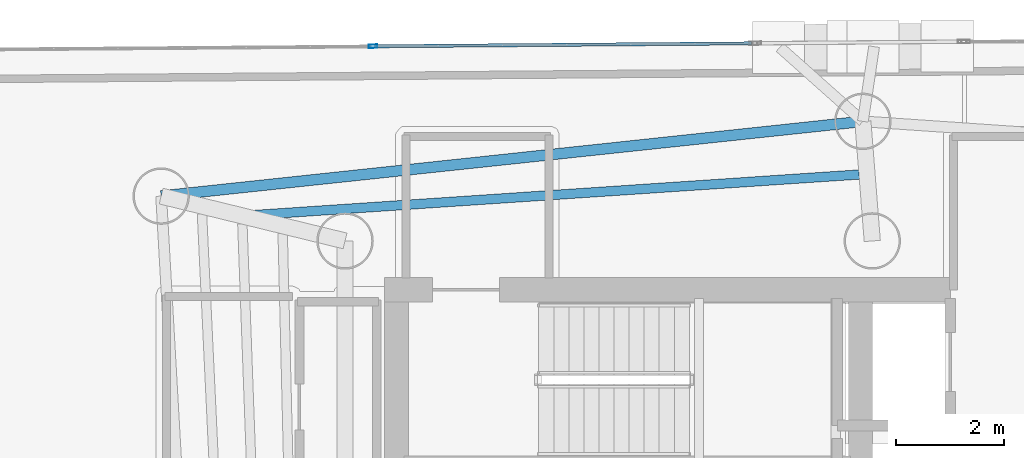
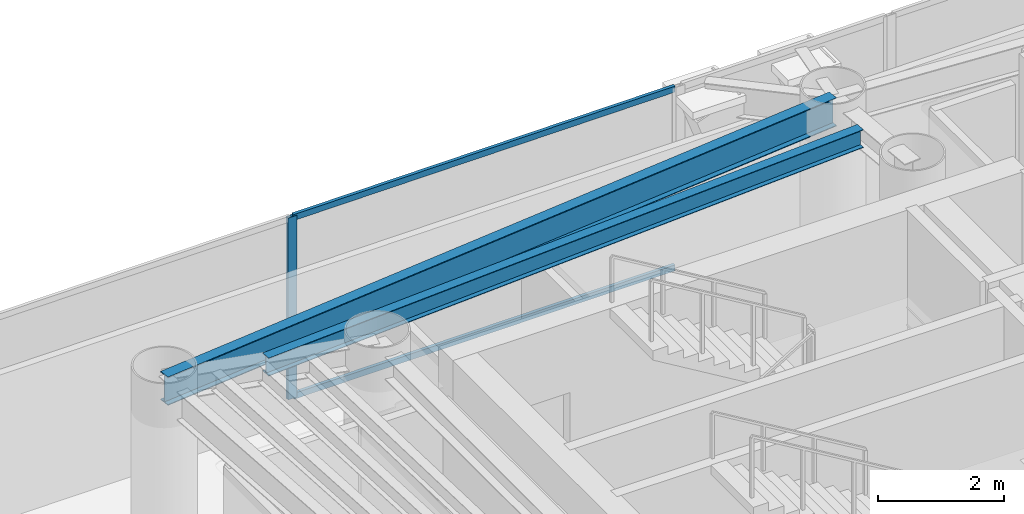
# One storey, part 9 of 21: 3 members, 2 beams, 1 element without a shape of its own.
"""IFC4 building model written with IfcOpenShell, lengths in metres."""

from ifc_helpers import new_model, si_unit, direction, frame, origin, origin_2d, place, context, subcontext, project, spatial, hollow_rectangle, i_section, extrude, material, layer, layer_set, material_profile, profile_set, type_object, element, aggregate, save


model = new_model("IFC4")

# Units and contexts
model_context = context("Model", 3, precision=1e-05, world=origin(), true_north=direction((0.0, 1.0)))
body_context = subcontext(model_context, "Body", "Model", "MODEL_VIEW")
ifc_project = project(units=[si_unit("LENGTHUNIT", "METRE"), si_unit("AREAUNIT", "SQUARE_METRE"), si_unit("VOLUMEUNIT", "CUBIC_METRE"), si_unit("PLANEANGLEUNIT", "RADIAN"), si_unit("MASSUNIT", "GRAM", prefix="KILO")], contexts=[model_context])

# Site, building, storey
site_placement = place(None, origin())
site = spatial("IfcSite", under=ifc_project, at=site_placement, CompositionType="ELEMENT")
building_placement = place(site_placement, origin())
building = spatial("IfcBuilding", under=site, at=building_placement, Name="Qianvela Tower", CompositionType="ELEMENT")
storey_placement = place(building_placement, frame((0.0, 0.0, 253.800048828125)))
storey = spatial("IfcBuildingStorey", under=building, at=storey_placement, Name="L65", CompositionType="ELEMENT", Elevation=253.800048828125)

# Beams
ifc_material_1 = material(Name="Steel Q355B", Category="steel")
ifc_material_profile_1 = material_profile(ifc_material_1, i_section(OverallWidth=0.175048828125, OverallDepth=0.35009765625, WebThickness=0.007080078125, FlangeThickness=0.010986328125, at=origin_2d()), Name="HN350x175x7x11")
ifc_profile_set_1 = profile_set([ifc_material_profile_1], Name="Steel Q355B")
beam_type_1 = type_object("IfcBeamType", Name="BM-HN350-JOIST", PredefinedType="JOIST", material=ifc_profile_set_1)
beam_1_placement = place(storey_placement, frame((38.15625, 34.78515625, 3.343017578125), z_axis=(-0.99776569919, -0.066810250112, 0.0), x_axis=(0.066810250112, -0.99776569919, 0.0)))
element("IfcBeam", 1, at=beam_1_placement, inside=storey, type_object=beam_type_1, Name="L65 Secondary Composite Floor Joist 2.2", PredefinedType="JOIST", context=body_context, shape_type="SweptSolid", body=[
    extrude(i_section(OverallWidth=0.175048828125, OverallDepth=0.35009765625, WebThickness=0.007080078125, FlangeThickness=0.010986328125, at=origin_2d()), origin(), (0.0, 0.0, 1.0), 11.35009765625),
])
ifc_material_2 = material(Name="Steel Q355B", Category="steel")
ifc_material_profile_2 = material_profile(ifc_material_2, i_section(OverallWidth=0.199951171875, OverallDepth=0.550048828125, WebThickness=0.010009765625, FlangeThickness=0.01611328125, at=origin_2d()), Name="HN550x200x10x16")
ifc_profile_set_2 = profile_set([ifc_material_profile_2], Name="Steel Q355B")
beam_type_2 = type_object("IfcBeamType", Name="BM-HN550-GIRD", PredefinedType="BEAM", material=ifc_profile_set_2)
beam_2_placement = place(storey_placement, frame((38.22509765625, 35.77294921875, 3.242919921875), z_axis=(-0.994378160395, -0.105887081975, 0.0), x_axis=(0.105887081975, -0.994378160395, 0.0)))
element("IfcBeam", 2, at=beam_2_placement, inside=storey, type_object=beam_type_2, Name="L65 Perimeter Ring Spandrel Girder 2", PredefinedType="BEAM", context=body_context, shape_type="SweptSolid", body=[
    extrude(i_section(OverallWidth=0.199951171875, OverallDepth=0.550048828125, WebThickness=0.010009765625, FlangeThickness=0.01611328125, at=origin_2d()), origin(), (0.0, 0.0, 1.0), 13.116943359375),
])

# Curtain wall, members
ifc_material_3 = material(Name="Anodised Architectural Aluminium and Low-E Glass", Category="aluminium")
ifc_layer = layer(ifc_material_3, 0.159912109375)
ifc_layer_set = layer_set([ifc_layer], Name="Anodised Architectural Aluminium and Low-E Glass")
curtain_wall_type = type_object("IfcCurtainWallType", Name="CW-COLIV-Z56", PredefinedType="USERDEFINED", material=ifc_layer_set)
curtain_wall_placement = place(storey_placement, origin())
curtain_wall = element("IfcCurtainWall", 3, at=curtain_wall_placement, inside=storey, type_object=curtain_wall_type, Name="L65 CW-COLIV-Z56 Curtain Wall 02C", ObjectType="CURTAIN_WALL_SYSTEM", PredefinedType="USERDEFINED")
ifc_material_4 = material(Name="Anodised Architectural Aluminium 6063-T6", Category="aluminium")
ifc_material_profile_3 = material_profile(ifc_material_4, hollow_rectangle(XDim=0.06494140625, YDim=0.159912109375, WallThickness=0.0048828125, at=origin_2d()), Name="ALU-MULL-65x160")
ifc_profile_set_3 = profile_set([ifc_material_profile_3], Name="Anodised Architectural Aluminium 6063-T6")
member_type_1 = type_object("IfcMemberType", Name="CW-COLIV-Z56-MULL", PredefinedType="MULLION", material=ifc_profile_set_3)
member_1_placement = place(storey_placement, frame((29.116455078125, 37.1689453125, 0.0), z_axis=(0.0, 0.0, 1.0), x_axis=(0.007803521427, -0.999969552063, 0.0)))
member_1 = element("IfcMember", 4, at=member_1_placement, type_object=member_type_1, Name="CW-5 mullion 2", PredefinedType="MULLION", context=body_context, shape_type="SweptSolid", body=[
    extrude(hollow_rectangle(XDim=0.06494140625, YDim=0.159912109375, WallThickness=0.0048828125, at=origin_2d()), origin(), (0.0, 0.0, 1.0), 3.52001953125),
])
ifc_material_5 = material(Name="Anodised Architectural Aluminium 6063-T6", Category="aluminium")
ifc_material_profile_4 = material_profile(ifc_material_5, hollow_rectangle(XDim=0.06005859375, YDim=0.114990234375, WallThickness=0.00390625, at=origin_2d()), Name="ALU-TRAN-60x115")
ifc_profile_set_4 = profile_set([ifc_material_profile_4], Name="Anodised Architectural Aluminium 6063-T6")
member_type_2 = type_object("IfcMemberType", Name="CW-COLIV-Z56-TRAN", PredefinedType="USERDEFINED", material=ifc_profile_set_4)
member_2_placement = place(storey_placement, frame((36.156982421875, 37.223876953125, 0.030029296875), z_axis=(-0.99996955394, -0.007803280964, 0.0), x_axis=(0.007803280964, -0.99996955394, 0.0)))
member_2 = element("IfcMember", 5, at=member_2_placement, type_object=member_type_2, Name="CW-5 transom 1.1", ObjectType="TRANSOM", PredefinedType="USERDEFINED", context=body_context, shape_type="SweptSolid", body=[
    extrude(hollow_rectangle(XDim=0.06005859375, YDim=0.114990234375, WallThickness=0.00390625, at=origin_2d()), origin(), (0.0, 0.0, 1.0), 7.00830078125),
])
member_3_placement = place(storey_placement, frame((36.156982421875, 37.223876953125, 3.489990234375), z_axis=(-0.99996955394, -0.007803280964, 0.0), x_axis=(0.007803280964, -0.99996955394, 0.0)))
member_3 = element("IfcMember", 6, at=member_3_placement, type_object=member_type_2, Name="CW-5 transom 1.2", ObjectType="TRANSOM", PredefinedType="USERDEFINED", context=body_context, shape_type="SweptSolid", body=[
    extrude(hollow_rectangle(XDim=0.06005859375, YDim=0.114990234375, WallThickness=0.00390625, at=origin_2d()), origin(), (0.0, 0.0, 1.0), 7.00830078125),
])
aggregate(curtain_wall, [member_1, member_2, member_3])

save(model, "model.ifc")
